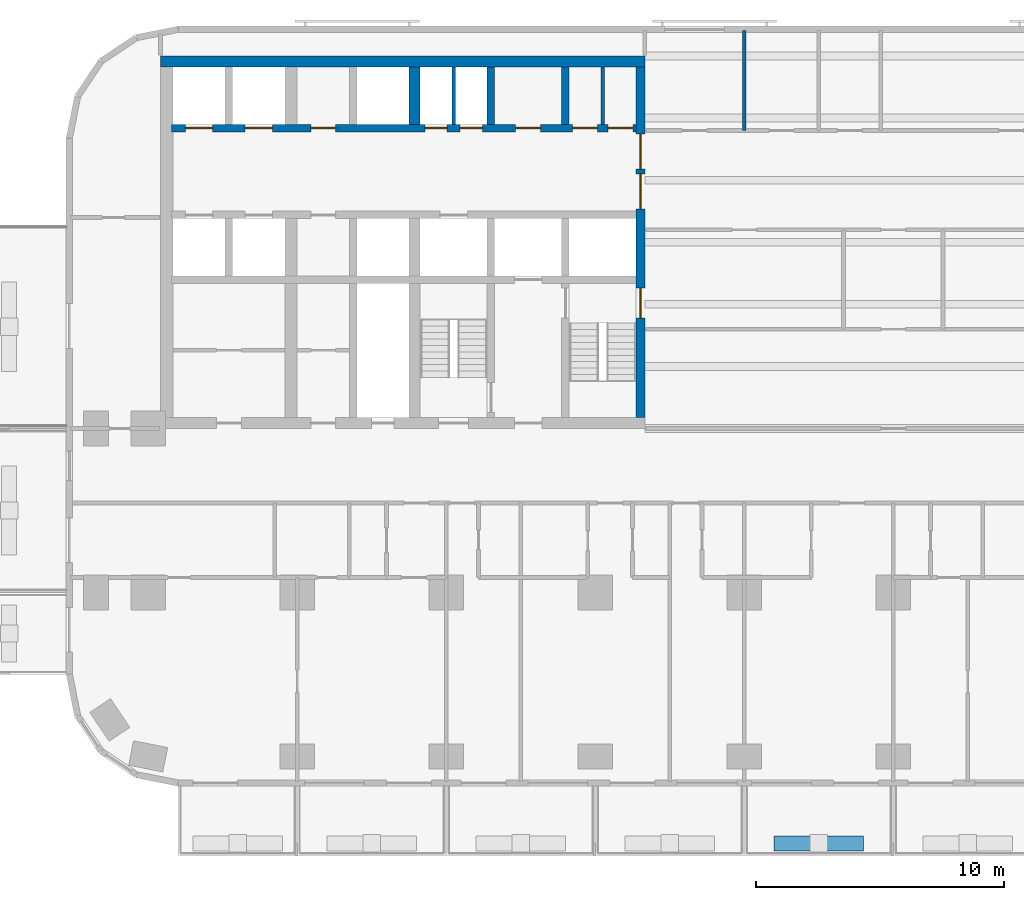
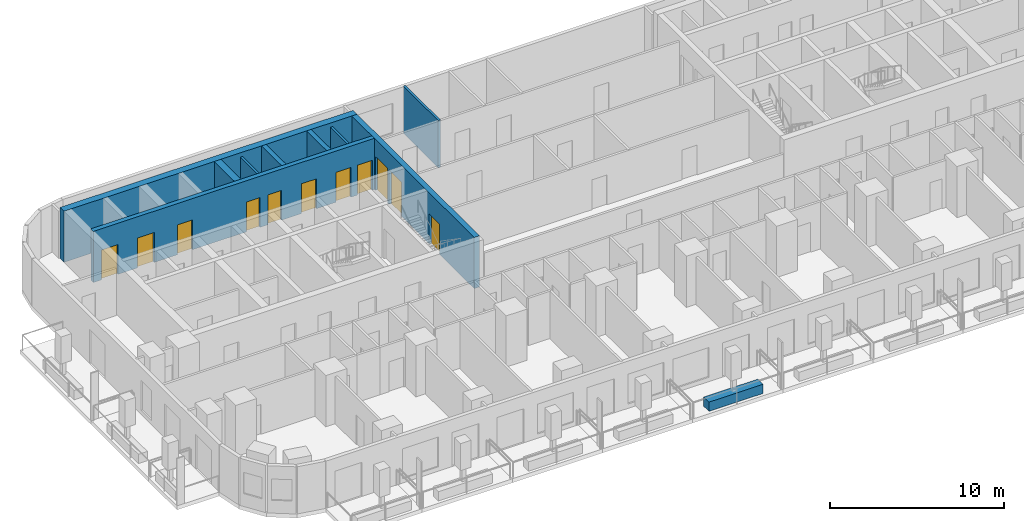
# One storey, part 4 of 15: 11 doors, 10 walls, 11 openings.
"""IFC4 building model written with IfcOpenShell, lengths in metres."""

from ifc_helpers import new_model, si_unit, direction, frame, frame_2d, origin, place, context, subcontext, project, spatial, rectangle, extrude, material, layer, layer_set, type_object, element, fill, save


model = new_model("IFC4")

# Units and contexts
model_context = context("Model", 3, precision=1e-05, world=origin(), true_north=direction((0.0, 1.0)))
body_context = subcontext(model_context, "Body", "Model", "MODEL_VIEW")
ifc_project = project(units=[si_unit("LENGTHUNIT", "METRE"), si_unit("AREAUNIT", "SQUARE_METRE"), si_unit("VOLUMEUNIT", "CUBIC_METRE"), si_unit("PLANEANGLEUNIT", "RADIAN"), si_unit("MASSUNIT", "GRAM", prefix="KILO")], contexts=[model_context])

# Site, building, storey
site_placement = place(None, origin())
site = spatial("IfcSite", under=ifc_project, at=site_placement, CompositionType="ELEMENT")
building_placement = place(site_placement, origin())
building = spatial("IfcBuilding", under=site, at=building_placement, Name="Torana Hotel and Residences", CompositionType="ELEMENT")
storey_placement = place(building_placement, frame((0.0, 0.0, 67.199951171875)))
storey = spatial("IfcBuildingStorey", under=building, at=storey_placement, Name="L16", CompositionType="ELEMENT", Elevation=67.199951171875)

# Wall, openings, doors
ifc_material_1 = material(Name="Concrete C80/95", Category="concrete")
ifc_layer_1 = layer(ifc_material_1, 0.300048828125)
ifc_layer_set_1 = layer_set([ifc_layer_1], Name="CORE WALL 300 C80/95")
wall_type_1 = type_object("IfcWallType", Name="CORE WALL 300 C80/95", PredefinedType="SHEAR", material=ifc_layer_set_1)
wall_1_placement = place(storey_placement, frame((-29.050048828125, -2.89990234375, 0.0), z_axis=(0.0, 0.0, 1.0), x_axis=(1.0, 0.0, 0.0)))
wall_1 = element("IfcWall", 1, at=wall_1_placement, inside=storey, type_object=wall_type_1, Name="Core wall W row-N", PredefinedType="SHEAR", context=body_context, shape_type="SweptSolid", body=[
    extrude(rectangle(XDim=18.699951171875, YDim=0.300048828125, at=frame_2d((9.35009765625, 0.0))), origin(), (0.0, 0.0, 1.0), 3.60009765625),
])
opening_1_placement = place(wall_1_placement, frame((2.949951171875, 0.0, 0.0)))
opening_1 = element("IfcOpeningElement", 2, at=opening_1_placement, cuts=wall_1, Name="Opening LD", PredefinedType="OPENING", context=body_context, shape_type="SweptSolid", body=[
    extrude(rectangle(XDim=1.10009765625, YDim=2.10009765625, at=frame_2d((0.550048828125, 1.050048828125))), frame((0.0, 0.159912109375, 0.0), z_axis=(0.0, -1.0, 0.0), x_axis=(1.0, 0.0, 0.0)), (0.0, 0.0, 1.0), 0.320068359375),
])
opening_2_placement = place(wall_1_placement, frame((0.550048828125, 0.0, 0.0)))
opening_2 = element("IfcOpeningElement", 3, at=opening_2_placement, cuts=wall_1, Name="Opening LD", PredefinedType="OPENING", context=body_context, shape_type="SweptSolid", body=[
    extrude(rectangle(XDim=1.10009765625, YDim=2.10009765625, at=frame_2d((0.550048828125, 1.050048828125))), frame((0.0, 0.159912109375, 0.0), z_axis=(0.0, -1.0, 0.0), x_axis=(1.0, 0.0, 0.0)), (0.0, 0.0, 1.0), 0.320068359375),
])
opening_3_placement = place(wall_1_placement, frame((11.612548828125, 0.0, 0.0)))
opening_3 = element("IfcOpeningElement", 4, at=opening_3_placement, cuts=wall_1, Name="Opening L16-09", PredefinedType="OPENING", context=body_context, shape_type="SweptSolid", body=[
    extrude(rectangle(XDim=0.89990234375, YDim=2.10009765625, at=frame_2d((0.449951171875, 1.050048828125))), frame((0.0, 0.159912109375, 0.0), z_axis=(0.0, -1.0, 0.0), x_axis=(1.0, 0.0, 0.0)), (0.0, 0.0, 1.0), 0.320068359375),
])
opening_4_placement = place(wall_1_placement, frame((10.1875, 0.0, 0.0)))
opening_4 = element("IfcOpeningElement", 5, at=opening_4_placement, cuts=wall_1, Name="Opening L16-10", PredefinedType="OPENING", context=body_context, shape_type="SweptSolid", body=[
    extrude(rectangle(XDim=0.89990234375, YDim=2.10009765625, at=frame_2d((0.449951171875, 1.050048828125))), frame((0.0, 0.159912109375, 0.0), z_axis=(0.0, -1.0, 0.0), x_axis=(1.0, 0.0, 0.0)), (0.0, 0.0, 1.0), 0.320068359375),
])
opening_5_placement = place(wall_1_placement, frame((17.5625, 0.0, 0.0)))
opening_5 = element("IfcOpeningElement", 6, at=opening_5_placement, cuts=wall_1, Name="Opening L16-11", PredefinedType="OPENING", context=body_context, shape_type="SweptSolid", body=[
    extrude(rectangle(XDim=1.0, YDim=2.10009765625, at=frame_2d((0.5, 1.050048828125))), frame((0.0, 0.159912109375, 0.0), z_axis=(0.0, -1.0, 0.0), x_axis=(1.0, 0.0, 0.0)), (0.0, 0.0, 1.0), 0.320068359375),
])
opening_6_placement = place(wall_1_placement, frame((16.137451171875, 0.0, 0.0)))
opening_6 = element("IfcOpeningElement", 7, at=opening_6_placement, cuts=wall_1, Name="Opening L16-12", PredefinedType="OPENING", context=body_context, shape_type="SweptSolid", body=[
    extrude(rectangle(XDim=1.0, YDim=2.10009765625, at=frame_2d((0.5, 1.050048828125))), frame((0.0, 0.159912109375, 0.0), z_axis=(0.0, -1.0, 0.0), x_axis=(1.0, 0.0, 0.0)), (0.0, 0.0, 1.0), 0.320068359375),
])
opening_7_placement = place(wall_1_placement, frame((13.85009765625, 0.0, 0.0)))
opening_7 = element("IfcOpeningElement", 8, at=opening_7_placement, cuts=wall_1, Name="Opening L16-13", PredefinedType="OPENING", context=body_context, shape_type="SweptSolid", body=[
    extrude(rectangle(XDim=1.0, YDim=2.10009765625, at=frame_2d((0.5, 1.050048828125))), frame((0.0, 0.159912109375, 0.0), z_axis=(0.0, -1.0, 0.0), x_axis=(1.0, 0.0, 0.0)), (0.0, 0.0, 1.0), 0.320068359375),
])
opening_8_placement = place(wall_1_placement, frame((5.60009765625, 0.0, 0.0)))
opening_8 = element("IfcOpeningElement", 9, at=opening_8_placement, cuts=wall_1, Name="Opening L16-14", PredefinedType="OPENING", context=body_context, shape_type="SweptSolid", body=[
    extrude(rectangle(XDim=1.0, YDim=2.10009765625, at=frame_2d((0.5, 1.050048828125))), frame((0.0, 0.159912109375, 0.0), z_axis=(0.0, -1.0, 0.0), x_axis=(1.0, 0.0, 0.0)), (0.0, 0.0, 1.0), 0.320068359375),
])
ifc_material_2 = material(Name="Steel S235", Category="steel")
door_type_1 = type_object("IfcDoorType", Name="CORE ROOM FIRE DOOR D14 1000x2100", OperationType="SINGLE_SWING_LEFT", PredefinedType="DOOR", material=ifc_material_2)
door_1_placement = place(opening_5_placement, origin())
door_1 = element("IfcDoor", 10, at=door_1_placement, inside=storey, type_object=door_type_1, Name="N0A door L16", OperationType="SINGLE_SWING_RIGHT", OverallHeight=2.10009765625, OverallWidth=1.0, PredefinedType="DOOR", context=body_context, shape_type="SweptSolid", body=[
    extrude(rectangle(XDim=1.0, YDim=2.10009765625, at=frame_2d((0.5, 1.050048828125))), frame((0.0, 0.02490234375, 0.0), z_axis=(0.0, -1.0, 0.0), x_axis=(1.0, 0.0, 0.0)), (0.0, 0.0, 1.0), 0.050048828125),
])
fill(opening_5, door_1)
door_2_placement = place(opening_6_placement, origin())
door_2 = element("IfcDoor", 11, at=door_2_placement, inside=storey, type_object=door_type_1, Name="N0B door L16", OperationType="SINGLE_SWING_RIGHT", OverallHeight=2.10009765625, OverallWidth=1.0, PredefinedType="DOOR", context=body_context, shape_type="SweptSolid", body=[
    extrude(rectangle(XDim=1.0, YDim=2.10009765625, at=frame_2d((0.5, 1.050048828125))), frame((0.0, 0.02490234375, 0.0), z_axis=(0.0, -1.0, 0.0), x_axis=(1.0, 0.0, 0.0)), (0.0, 0.0, 1.0), 0.050048828125),
])
fill(opening_6, door_2)
door_3_placement = place(opening_7_placement, origin())
door_3 = element("IfcDoor", 12, at=door_3_placement, inside=storey, type_object=door_type_1, Name="N1 door L16", OperationType="SINGLE_SWING_RIGHT", OverallHeight=2.10009765625, OverallWidth=1.0, PredefinedType="DOOR", context=body_context, shape_type="SweptSolid", body=[
    extrude(rectangle(XDim=1.0, YDim=2.10009765625, at=frame_2d((0.5, 1.050048828125))), frame((0.0, 0.02490234375, 0.0), z_axis=(0.0, -1.0, 0.0), x_axis=(1.0, 0.0, 0.0)), (0.0, 0.0, 1.0), 0.050048828125),
])
fill(opening_7, door_3)
door_4_placement = place(opening_8_placement, origin())
door_4 = element("IfcDoor", 13, at=door_4_placement, inside=storey, type_object=door_type_1, Name="Free-M1 door L16", OperationType="SINGLE_SWING_RIGHT", OverallHeight=2.10009765625, OverallWidth=1.0, PredefinedType="DOOR", context=body_context, shape_type="SweptSolid", body=[
    extrude(rectangle(XDim=1.0, YDim=2.10009765625, at=frame_2d((0.5, 1.050048828125))), frame((0.0, 0.02490234375, 0.0), z_axis=(0.0, -1.0, 0.0), x_axis=(1.0, 0.0, 0.0)), (0.0, 0.0, 1.0), 0.050048828125),
])
fill(opening_8, door_4)
ifc_material_3 = material(Name="Stainless steel 316", Category="steel")
door_type_2 = type_object("IfcDoorType", Name="LIFT LANDING DOOR LD 1100x2100", OperationType="DOUBLE_DOOR_SLIDING", PredefinedType="USERDEFINED", material=ifc_material_3)
door_5_placement = place(opening_1_placement, origin())
door_5 = element("IfcDoor", 14, at=door_5_placement, inside=storey, type_object=door_type_2, Name="Lift landing door L1 L16", ObjectType="LIFT LANDING DOOR", OperationType="DOUBLE_DOOR_SLIDING", OverallHeight=2.10009765625, OverallWidth=1.10009765625, PredefinedType="USERDEFINED", context=body_context, shape_type="SweptSolid", body=[
    extrude(rectangle(XDim=1.10009765625, YDim=2.10009765625, at=frame_2d((0.550048828125, 1.050048828125))), frame((0.0, 0.02490234375, 0.0), z_axis=(0.0, -1.0, 0.0), x_axis=(1.0, 0.0, 0.0)), (0.0, 0.0, 1.0), 0.050048828125),
])
fill(opening_1, door_5)
door_6_placement = place(opening_2_placement, origin())
door_6 = element("IfcDoor", 15, at=door_6_placement, inside=storey, type_object=door_type_2, Name="Lift landing door L2 L16", ObjectType="LIFT LANDING DOOR", OperationType="DOUBLE_DOOR_SLIDING", OverallHeight=2.10009765625, OverallWidth=1.10009765625, PredefinedType="USERDEFINED", context=body_context, shape_type="SweptSolid", body=[
    extrude(rectangle(XDim=1.10009765625, YDim=2.10009765625, at=frame_2d((0.550048828125, 1.050048828125))), frame((0.0, 0.02490234375, 0.0), z_axis=(0.0, -1.0, 0.0), x_axis=(1.0, 0.0, 0.0)), (0.0, 0.0, 1.0), 0.050048828125),
])
fill(opening_2, door_6)
ifc_material_4 = material(Name="Steel S235", Category="steel")
door_type_3 = type_object("IfcDoorType", Name="RISER ACCESS DOOR D5 900x2100", OperationType="SINGLE_SWING_LEFT", PredefinedType="DOOR", material=ifc_material_4)
door_7_placement = place(opening_3_placement, origin())
door_7 = element("IfcDoor", 16, at=door_7_placement, inside=storey, type_object=door_type_3, Name="N2A door L16", OperationType="SINGLE_SWING_RIGHT", OverallHeight=2.10009765625, OverallWidth=0.89990234375, PredefinedType="DOOR", context=body_context, shape_type="SweptSolid", body=[
    extrude(rectangle(XDim=0.89990234375, YDim=2.10009765625, at=frame_2d((0.449951171875, 1.050048828125))), frame((0.0, 0.02490234375, 0.0), z_axis=(0.0, -1.0, 0.0), x_axis=(1.0, 0.0, 0.0)), (0.0, 0.0, 1.0), 0.050048828125),
])
fill(opening_3, door_7)
door_8_placement = place(opening_4_placement, origin())
door_8 = element("IfcDoor", 17, at=door_8_placement, inside=storey, type_object=door_type_3, Name="N2B door L16", OperationType="SINGLE_SWING_RIGHT", OverallHeight=2.10009765625, OverallWidth=0.89990234375, PredefinedType="DOOR", context=body_context, shape_type="SweptSolid", body=[
    extrude(rectangle(XDim=0.89990234375, YDim=2.10009765625, at=frame_2d((0.449951171875, 1.050048828125))), frame((0.0, 0.02490234375, 0.0), z_axis=(0.0, -1.0, 0.0), x_axis=(1.0, 0.0, 0.0)), (0.0, 0.0, 1.0), 0.050048828125),
])
fill(opening_4, door_8)

# Walls
for number, where, z_axis, x_axis, name in (
    (18, (-13.199951171875, -2.75, 0.0), (0.0, 0.0, 1.0), (0.0, 1.0, 0.0), "Core wall W x3.05-N"),
    (19, (-16.199951171875, -2.75, 0.0), (0.0, 0.0, 1.0), (0.0, 1.0, 0.0), "Core wall W x6.05-N"),
):
    element("IfcWall", number, at=place(storey_placement, frame(where, z_axis=z_axis, x_axis=x_axis)), inside=storey, type_object=wall_type_1, Name=name, PredefinedType="SHEAR", context=body_context, shape_type="SweptSolid", body=[
        extrude(rectangle(XDim=2.300048828125, YDim=0.300048828125, at=frame_2d((1.14990234375, 0.0))), origin(), (0.0, 0.0, 1.0), 3.60009765625),
    ])

# Wall, openings, doors
ifc_material_5 = material(Name="Concrete C80/95", Category="concrete")
ifc_layer_2 = layer(ifc_material_5, 0.35009765625)
ifc_layer_set_2 = layer_set([ifc_layer_2], Name="CORE WALL 350 C80/95")
wall_type_2 = type_object("IfcWallType", Name="CORE WALL 350 C80/95", PredefinedType="SHEAR", material=ifc_layer_set_2)
wall_2_placement = place(storey_placement, frame((-10.175048828125, -14.550048828125, 0.0), z_axis=(0.0, 0.0, 1.0), x_axis=(0.0, 1.0, 0.0)))
wall_2 = element("IfcWall", 20, at=wall_2_placement, inside=storey, type_object=wall_type_2, Name="Core wall W arch", PredefinedType="SHEAR", context=body_context, shape_type="SweptSolid", body=[
    extrude(rectangle(XDim=14.10009765625, YDim=0.35009765625, at=frame_2d((7.050048828125, 0.0))), origin(), (0.0, 0.0, 1.0), 3.60009765625),
])
opening_9_placement = place(wall_2_placement, frame((8.39990234375, 0.0, 0.0)))
opening_9 = element("IfcOpeningElement", 21, at=opening_9_placement, cuts=wall_2, Name="Opening L16-01", PredefinedType="OPENING", context=body_context, shape_type="SweptSolid", body=[
    extrude(rectangle(XDim=1.39990234375, YDim=2.39990234375, at=frame_2d((0.699951171875, 1.199951171875))), frame((0.0, 0.18505859375, 0.0), z_axis=(0.0, -1.0, 0.0), x_axis=(1.0, 0.0, 0.0)), (0.0, 0.0, 1.0), 0.3701171875),
])
opening_10_placement = place(wall_2_placement, frame((10.0, 0.0, 0.0)))
opening_10 = element("IfcOpeningElement", 22, at=opening_10_placement, cuts=wall_2, Name="Opening L16-02", PredefinedType="OPENING", context=body_context, shape_type="SweptSolid", body=[
    extrude(rectangle(XDim=1.39990234375, YDim=2.39990234375, at=frame_2d((0.699951171875, 1.199951171875))), frame((0.0, 0.18505859375, 0.0), z_axis=(0.0, -1.0, 0.0), x_axis=(1.0, 0.0, 0.0)), (0.0, 0.0, 1.0), 0.3701171875),
])
opening_11_placement = place(wall_2_placement, frame((4.0, 0.0, 0.0)))
opening_11 = element("IfcOpeningElement", 23, at=opening_11_placement, cuts=wall_2, Name="Opening L16-03", PredefinedType="OPENING", context=body_context, shape_type="SweptSolid", body=[
    extrude(rectangle(XDim=1.199951171875, YDim=2.10009765625, at=frame_2d((0.60009765625, 1.050048828125))), frame((0.0, 0.18505859375, 0.0), z_axis=(0.0, -1.0, 0.0), x_axis=(1.0, 0.0, 0.0)), (0.0, 0.0, 1.0), 0.3701171875),
])
ifc_material_6 = material(Name="Steel S235", Category="steel")
door_type_4 = type_object("IfcDoorType", Name="LOBBY FIRE DOOR D4 1400x2400", OperationType="DOUBLE_DOOR_SINGLE_SWING", PredefinedType="DOOR", material=ifc_material_6)
door_9_placement = place(opening_9_placement, origin())
door_9 = element("IfcDoor", 24, at=door_9_placement, inside=storey, type_object=door_type_4, Name="Lobby-1 door L16", OperationType="DOUBLE_DOOR_SINGLE_SWING", OverallHeight=2.39990234375, OverallWidth=1.39990234375, PredefinedType="DOOR", context=body_context, shape_type="SweptSolid", body=[
    extrude(rectangle(XDim=1.39990234375, YDim=2.39990234375, at=frame_2d((0.699951171875, 1.199951171875))), frame((0.0, 0.02490234375, 0.0), z_axis=(0.0, -1.0, 0.0), x_axis=(1.0, 0.0, 0.0)), (0.0, 0.0, 1.0), 0.050048828125),
])
fill(opening_9, door_9)
door_10_placement = place(opening_10_placement, origin())
door_10 = element("IfcDoor", 25, at=door_10_placement, inside=storey, type_object=door_type_4, Name="Lobby-2 door L16", OperationType="DOUBLE_DOOR_SINGLE_SWING", OverallHeight=2.39990234375, OverallWidth=1.39990234375, PredefinedType="DOOR", context=body_context, shape_type="SweptSolid", body=[
    extrude(rectangle(XDim=1.39990234375, YDim=2.39990234375, at=frame_2d((0.699951171875, 1.199951171875))), frame((0.0, 0.02490234375, 0.0), z_axis=(0.0, -1.0, 0.0), x_axis=(1.0, 0.0, 0.0)), (0.0, 0.0, 1.0), 0.050048828125),
])
fill(opening_10, door_10)
ifc_material_7 = material(Name="Steel S235", Category="steel")
door_type_5 = type_object("IfcDoorType", Name="STAIR FIRE DOOR D3 1200x2100", OperationType="SINGLE_SWING_LEFT", PredefinedType="DOOR", material=ifc_material_7)
door_11_placement = place(opening_11_placement, origin())
door_11 = element("IfcDoor", 26, at=door_11_placement, inside=storey, type_object=door_type_5, Name="Stair-A door L16", OperationType="SINGLE_SWING_LEFT", OverallHeight=2.10009765625, OverallWidth=1.199951171875, PredefinedType="DOOR", context=body_context, shape_type="SweptSolid", body=[
    extrude(rectangle(XDim=1.199951171875, YDim=2.10009765625, at=frame_2d((0.60009765625, 1.050048828125))), frame((0.0, 0.02490234375, 0.0), z_axis=(0.0, -1.0, 0.0), x_axis=(1.0, 0.0, 0.0)), (0.0, 0.0, 1.0), 0.050048828125),
])
fill(opening_11, door_11)

# Walls
ifc_material_8 = material(Name="Concrete C80/95", Category="concrete")
ifc_layer_3 = layer(ifc_material_8, 0.449951171875)
ifc_layer_set_3 = layer_set([ifc_layer_3], Name="CORE WALL 450 C80/95")
wall_type_3 = type_object("IfcWallType", Name="CORE WALL 450 C80/95", PredefinedType="SHEAR", material=ifc_layer_set_3)
wall_3_placement = place(storey_placement, frame((-29.5, -0.22509765625, 0.0), z_axis=(0.0, 0.0, 1.0), x_axis=(1.0, 0.0, 0.0)))
element("IfcWall", 27, at=wall_3_placement, inside=storey, type_object=wall_type_3, Name="Core wall W rear", PredefinedType="SHEAR", context=body_context, shape_type="SweptSolid", body=[
    extrude(rectangle(XDim=19.5, YDim=0.449951171875, at=frame_2d((9.75, 0.0))), origin(), (0.0, 0.0, 1.0), 3.60009765625),
])
wall_4_placement = place(storey_placement, frame((-19.27490234375, -2.75, 0.0), z_axis=(0.0, 0.0, 1.0), x_axis=(0.0, 1.0, 0.0)))
element("IfcWall", 28, at=wall_4_placement, inside=storey, type_object=wall_type_3, Name="Core wall W hm-N", PredefinedType="SHEAR", context=body_context, shape_type="SweptSolid", body=[
    extrude(rectangle(XDim=2.300048828125, YDim=0.449951171875, at=frame_2d((1.14990234375, 0.0))), origin(), (0.0, 0.0, 1.0), 3.60009765625),
])
ifc_material_9 = material(Name="Gypsum plaster")
ifc_layer_4 = layer(ifc_material_9, 0.014892578125, Name="Plaster", Category="finish")
ifc_material_10 = material(Name="Concrete blockwork", Category="masonry")
ifc_layer_5 = layer(ifc_material_10, 0.1201171875, Name="Blockwork", Category="structure")
ifc_layer_6 = layer(ifc_material_9, 0.014892578125, Name="Plaster", Category="finish")
ifc_layer_set_4 = layer_set([ifc_layer_4, ifc_layer_5, ifc_layer_6], Name="FIRE PARTITION 150 BLOCKWORK")
wall_type_4 = type_object("IfcWallType", Name="FIRE PARTITION 150 BLOCKWORK", PredefinedType="PARTITIONING", material=ifc_layer_set_4)
for number, where, z_axis, x_axis, name in (
    (29, (-17.699951171875, -2.75, 0.0), (0.0, 0.0, 1.0), (0.0, 1.0, 0.0), "Core partition L16"),
    (30, (-11.699951171875, -2.75, 0.0), (0.0, 0.0, 1.0), (0.0, 1.0, 0.0), "Core partition L16"),
):
    element("IfcWall", number, at=place(storey_placement, frame(where, z_axis=z_axis, x_axis=x_axis)), inside=storey, type_object=wall_type_4, Name=name, PredefinedType="PARTITIONING", context=body_context, shape_type="SweptSolid", body=[
        extrude(rectangle(XDim=2.300048828125, YDim=0.14990234375, at=frame_2d((1.14990234375, 0.0))), origin(), (0.0, 0.0, 1.0), 3.300048828125),
    ])
ifc_material_11 = material(Name="Concrete C40/50 precast", Category="concrete")
ifc_layer_7 = layer(ifc_material_11, 0.10009765625, Name="Planter shell", Category="structure")
ifc_material_12 = material(Name="Root resistant membrane")
ifc_layer_8 = layer(ifc_material_12, 0.00390625, Name="Waterproofing membrane", Category="membrane")
ifc_material_13 = material(Name="Drainage board with filter fleece")
ifc_layer_9 = layer(ifc_material_13, 0.02001953125, Name="Drainage board", Category="drainage")
ifc_material_14 = material(Name="Growing medium")
ifc_layer_10 = layer(ifc_material_14, 0.47607421875, Name="Planting substrate", Category="soil")
ifc_layer_set_5 = layer_set([ifc_layer_7, ifc_layer_8, ifc_layer_9, ifc_layer_10], Name="PL1 BALCONY PLANTER 600")
wall_type_5 = type_object("IfcWallType", Name="PL1 BALCONY PLANTER 600", PredefinedType="USERDEFINED", material=ifc_layer_set_5)
wall_5_placement = place(storey_placement, frame((-1.199951171875, -31.699951171875, 0.0), z_axis=(0.0, 0.0, 1.0), x_axis=(-1.0, 0.0, 0.0)))
element("IfcWall", 31, at=wall_5_placement, inside=storey, type_object=wall_type_5, Name="Planter 05", ObjectType="PLANTER", PredefinedType="USERDEFINED", context=body_context, shape_type="SweptSolid", body=[
    extrude(rectangle(XDim=3.60009765625, YDim=0.60009765625, at=frame_2d((1.800048828125, 0.0))), origin(), (0.0, 0.0, 1.0), 0.650146484375),
])
ifc_material_15 = material(Name="Ceramic tile on adhesive")
ifc_layer_11 = layer(ifc_material_15, 0.010009765625, Name="Wall tile", Category="finish")
ifc_material_16 = material(Name="Cement render")
ifc_layer_12 = layer(ifc_material_16, 0.010009765625, Name="Render", Category="finish")
ifc_layer_13 = layer(ifc_material_10, 0.110107421875, Name="Blockwork", Category="structure")
ifc_layer_14 = layer(ifc_material_16, 0.010009765625, Name="Render", Category="finish")
ifc_layer_15 = layer(ifc_material_15, 0.010009765625, Name="Wall tile", Category="finish")
ifc_layer_set_6 = layer_set([ifc_layer_11, ifc_layer_12, ifc_layer_13, ifc_layer_14, ifc_layer_15], Name="WC PARTITION 150")
wall_type_6 = type_object("IfcWallType", Name="WC PARTITION 150", PredefinedType="PLUMBINGWALL", material=ifc_layer_set_6)
wall_6_placement = place(storey_placement, frame((-6.0, -3.0, 0.0), z_axis=(0.0, 0.0, 1.0), x_axis=(0.0, 1.0, 0.0)))
element("IfcWall", 32, at=wall_6_placement, inside=storey, type_object=wall_type_6, Name="Partition L16", PredefinedType="PLUMBINGWALL", context=body_context, shape_type="SweptSolid", body=[
    extrude(rectangle(XDim=4.02001953125, YDim=0.14990234375, at=frame_2d((2.010009765625, 0.0))), origin(), (0.0, 0.0, 1.0), 3.320068359375),
])

save(model, "model.ifc")
